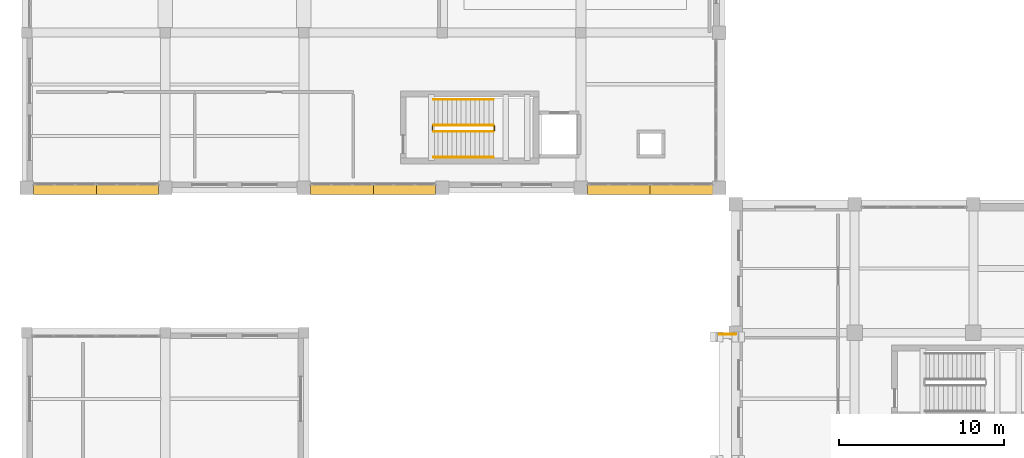
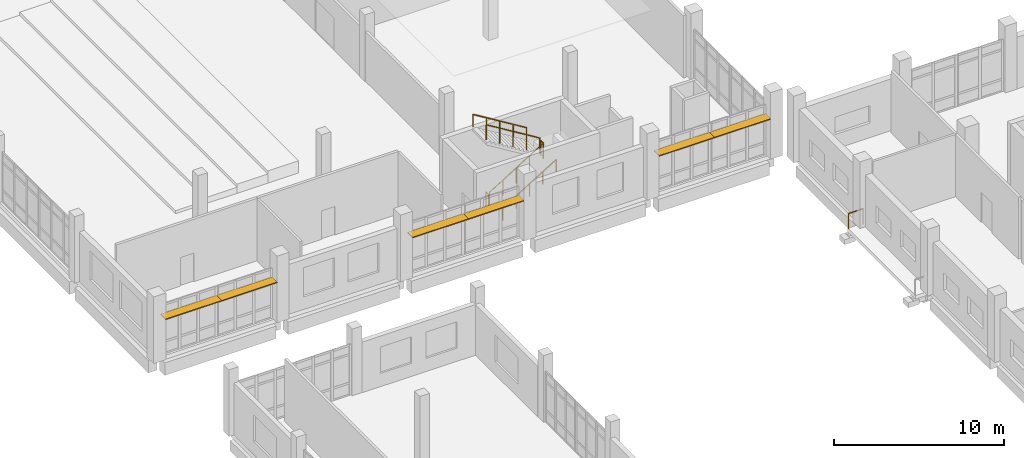
# One storey, part 86 of 90: 7 railings, 6 shading devices.
"""IFC4 building model written with IfcOpenShell, lengths in metres."""

from ifc_helpers import new_model, si_unit, direction, frame, origin, origin_2d, place, context, subcontext, project, spatial, rectangle, circle, extrude, material, layer, layer_set, type_object, element, save


model = new_model("IFC4")

# Units and contexts
model_context = context("Model", 3, precision=1e-05, world=origin(), true_north=direction((0.0, 1.0)))
body_context = subcontext(model_context, "Body", "Model", "MODEL_VIEW")
ifc_project = project(units=[si_unit("LENGTHUNIT", "METRE"), si_unit("AREAUNIT", "SQUARE_METRE"), si_unit("VOLUMEUNIT", "CUBIC_METRE"), si_unit("PLANEANGLEUNIT", "RADIAN"), si_unit("MASSUNIT", "GRAM", prefix="KILO")], contexts=[model_context])

# Site, building, storey
site_placement = place(None, origin())
site = spatial("IfcSite", under=ifc_project, at=site_placement, CompositionType="ELEMENT")
building_placement = place(site_placement, origin())
building = spatial("IfcBuilding", under=site, at=building_placement, Name="Kelarvand Opera House", CompositionType="ELEMENT")
storey_placement = place(building_placement, frame((0.0, 0.0, 5.39990234375)))
storey = spatial("IfcBuildingStorey", under=building, at=storey_placement, Name="L01", CompositionType="ELEMENT", Elevation=5.39990234375)

# Railings
ifc_material_1 = material(Name="Brushed bronze tubular rail")
railing_type_1 = type_object("IfcRailingType", Name="Brushed Bronze Stair Wall Handrail 900", PredefinedType="HANDRAIL", material=ifc_material_1)
railing_1_placement = place(storey_placement, frame((33.659912109375, 89.050048828125, 0.171630859375)))
element("IfcRailing", 1, at=railing_1_placement, inside=storey, type_object=railing_type_1, Name="L01 ST-05 stair handrail 1", PredefinedType="HANDRAIL", context=body_context, shape_type="SweptSolid", body=[
    extrude(circle(Radius=0.02392578125, at=origin_2d()), frame((0.0, 0.0, 0.8759765625), z_axis=(0.852865859571, 0.0, 0.52213008492), x_axis=(0.0, 1.0, 0.0)), (0.0, 0.0, 1.0), 4.26806640625),
    extrude(circle(Radius=0.02099609375, at=origin_2d()), origin(), (0.0, 0.0, 1.0), 0.851806640625),
    extrude(circle(Radius=0.02099609375, at=origin_2d()), frame((0.91015625, 0.0, 0.55712890625)), (0.0, 0.0, 1.0), 0.851806640625),
    extrude(circle(Radius=0.02099609375, at=origin_2d()), frame((1.820068359375, 0.0, 1.1142578125)), (0.0, 0.0, 1.0), 0.851806640625),
    extrude(circle(Radius=0.02099609375, at=origin_2d()), frame((2.72998046875, 0.0, 1.67138671875)), (0.0, 0.0, 1.0), 0.851806640625),
    extrude(circle(Radius=0.02099609375, at=origin_2d()), frame((3.64013671875, 0.0, 2.228515625)), (0.0, 0.0, 1.0), 0.851806640625),
])
railing_2_placement = place(storey_placement, frame((37.300048828125, 92.550048828125, 2.571533203125)))
element("IfcRailing", 2, at=railing_2_placement, inside=storey, type_object=railing_type_1, Name="L01 ST-05 stair handrail 2", PredefinedType="HANDRAIL", context=body_context, shape_type="SweptSolid", body=[
    extrude(circle(Radius=0.02392578125, at=origin_2d()), frame((0.0, 0.0, 0.8759765625), z_axis=(-0.852865859571, 0.0, 0.52213008492), x_axis=(0.0, -1.0, 0.0)), (0.0, 0.0, 1.0), 4.26806640625),
    extrude(circle(Radius=0.02099609375, at=origin_2d()), origin(), (0.0, 0.0, 1.0), 0.851806640625),
    extrude(circle(Radius=0.02099609375, at=origin_2d()), frame((-0.91015625, 0.0, 0.55712890625)), (0.0, 0.0, 1.0), 0.851806640625),
    extrude(circle(Radius=0.02099609375, at=origin_2d()), frame((-1.820068359375, 0.0, 1.1142578125)), (0.0, 0.0, 1.0), 0.851806640625),
    extrude(circle(Radius=0.02099609375, at=origin_2d()), frame((-2.72998046875, 0.0, 1.67138671875)), (0.0, 0.0, 1.0), 0.851806640625),
    extrude(circle(Radius=0.02099609375, at=origin_2d()), frame((-3.64013671875, 0.0, 2.228515625)), (0.0, 0.0, 1.0), 0.851806640625),
])

# Shading devices
ifc_material_2 = material(Name="Anodised bronze acoustic louvre")
ifc_layer = layer(ifc_material_2, 0.070068359375, Name="Anodised bronze acoustic louvre")
ifc_layer_set = layer_set([ifc_layer], Name="Anodised bronze acoustic louvre")
shading_device_type = type_object("IfcShadingDeviceType", Name="Horizontal Acoustic and Solar Bronze Louvre 600x70", PredefinedType="USERDEFINED", material=ifc_layer_set)
shading_device_1_placement = place(storey_placement, frame((48.69189453125, 87.0849609375, 2.865234375), z_axis=(0.0, 0.0, 1.0), x_axis=(-1.0, 0.0, 0.0)))
element("IfcShadingDevice", 3, at=shading_device_1_placement, inside=storey, type_object=shading_device_type, Name="V3 Sun Hood Louvre 5", ObjectType="LOUVRE", PredefinedType="USERDEFINED", context=body_context, shape_type="SweptSolid", body=[
    extrude(rectangle(XDim=3.81591796875, YDim=0.60009765625, at=origin_2d()), origin(), (0.0, 0.0, 1.0), 0.070068359375),
])
shading_device_2_placement = place(storey_placement, frame((44.909912109375, 87.0849609375, 2.865234375), z_axis=(0.0, 0.0, 1.0), x_axis=(-1.0, 0.0, 0.0)))
element("IfcShadingDevice", 4, at=shading_device_2_placement, inside=storey, type_object=shading_device_type, Name="V3 Sun Hood Louvre 6", ObjectType="LOUVRE", PredefinedType="USERDEFINED", context=body_context, shape_type="SweptSolid", body=[
    extrude(rectangle(XDim=3.820068359375, YDim=0.60009765625, at=origin_2d()), origin(), (0.0, 0.0, 1.0), 0.070068359375),
])
shading_device_3_placement = place(storey_placement, frame((31.89208984375, 87.0849609375, 2.865234375), z_axis=(0.0, 0.0, 1.0), x_axis=(-1.0, 0.0, 0.0)))
element("IfcShadingDevice", 5, at=shading_device_3_placement, inside=storey, type_object=shading_device_type, Name="V3 Sun Hood Louvre 7", ObjectType="LOUVRE", PredefinedType="USERDEFINED", context=body_context, shape_type="SweptSolid", body=[
    extrude(rectangle(XDim=3.81591796875, YDim=0.60009765625, at=origin_2d()), origin(), (0.0, 0.0, 1.0), 0.070068359375),
])
shading_device_4_placement = place(storey_placement, frame((28.110107421875, 87.0849609375, 2.865234375), z_axis=(0.0, 0.0, 1.0), x_axis=(-1.0, 0.0, 0.0)))
element("IfcShadingDevice", 6, at=shading_device_4_placement, inside=storey, type_object=shading_device_type, Name="V3 Sun Hood Louvre 8", ObjectType="LOUVRE", PredefinedType="USERDEFINED", context=body_context, shape_type="SweptSolid", body=[
    extrude(rectangle(XDim=3.820068359375, YDim=0.60009765625, at=origin_2d()), origin(), (0.0, 0.0, 1.0), 0.070068359375),
])
shading_device_5_placement = place(storey_placement, frame((15.092041015625, 87.0849609375, 2.865234375), z_axis=(0.0, 0.0, 1.0), x_axis=(-1.0, 0.0, 0.0)))
element("IfcShadingDevice", 7, at=shading_device_5_placement, inside=storey, type_object=shading_device_type, Name="V3 Sun Hood Louvre 9", ObjectType="LOUVRE", PredefinedType="USERDEFINED", context=body_context, shape_type="SweptSolid", body=[
    extrude(rectangle(XDim=3.81591796875, YDim=0.60009765625, at=origin_2d()), origin(), (0.0, 0.0, 1.0), 0.070068359375),
])
shading_device_6_placement = place(storey_placement, frame((11.31005859375, 87.0849609375, 2.865234375), z_axis=(0.0, 0.0, 1.0), x_axis=(-1.0, 0.0, 0.0)))
element("IfcShadingDevice", 8, at=shading_device_6_placement, inside=storey, type_object=shading_device_type, Name="V3 Sun Hood Louvre 10", ObjectType="LOUVRE", PredefinedType="USERDEFINED", context=body_context, shape_type="SweptSolid", body=[
    extrude(rectangle(XDim=3.820068359375, YDim=0.60009765625, at=origin_2d()), origin(), (0.0, 0.0, 1.0), 0.070068359375),
])

# Railings
ifc_material_3 = material(Name="Laminated safety glass with bronze cap rail", Category="glass")
railing_type_2 = type_object("IfcRailingType", Name="Laminated Glass and Bronze Foyer Balustrade 1120", PredefinedType="BALUSTRADE", material=ifc_material_3)
railing_3_placement = place(storey_placement, frame((51.0, 78.320068359375, 0.0)))
element("IfcRailing", 9, at=railing_3_placement, inside=storey, type_object=railing_type_2, Name="V1 L01 Balustrade 126", PredefinedType="BALUSTRADE", context=body_context, shape_type="SweptSolid", body=[
    extrude(circle(Radius=0.02392578125, at=origin_2d()), frame((0.0, 0.0, 1.09619140625), z_axis=(1.0, 0.0, 0.0), x_axis=(0.0, 1.0, 0.0)), (0.0, 0.0, 1.0), 1.0),
    extrude(circle(Radius=0.02099609375, at=origin_2d()), origin(), (0.0, 0.0, 1.0), 1.072021484375),
    extrude(circle(Radius=0.02099609375, at=origin_2d()), frame((1.0, 0.0, 0.0)), (0.0, 0.0, 1.0), 1.072021484375),
])
ifc_material_4 = material(Name="Powder-coated Steel S355", Category="steel")
railing_type_3 = type_object("IfcRailingType", Name="Painted Steel Stair and Void Guardrail 1100", PredefinedType="GUARDRAIL", material=ifc_material_4)
railing_4_placement = place(storey_placement, frame((33.659912109375, 90.610107421875, 0.171630859375)))
element("IfcRailing", 10, at=railing_4_placement, inside=storey, type_object=railing_type_3, Name="L01 ST-05 stair guard 1", PredefinedType="GUARDRAIL", context=body_context, shape_type="SweptSolid", body=[
    extrude(circle(Radius=0.02392578125, at=origin_2d()), frame((0.0, 0.0, 1.076171875), z_axis=(0.852865859571, 0.0, 0.52213008492), x_axis=(0.0, 1.0, 0.0)), (0.0, 0.0, 1.0), 4.26806640625),
    extrude(circle(Radius=0.02099609375, at=origin_2d()), origin(), (0.0, 0.0, 1.0), 1.052001953125),
    extrude(circle(Radius=0.02099609375, at=origin_2d()), frame((0.91015625, 0.0, 0.55712890625)), (0.0, 0.0, 1.0), 1.052001953125),
    extrude(circle(Radius=0.02099609375, at=origin_2d()), frame((1.820068359375, 0.0, 1.1142578125)), (0.0, 0.0, 1.0), 1.052001953125),
    extrude(circle(Radius=0.02099609375, at=origin_2d()), frame((2.72998046875, 0.0, 1.67138671875)), (0.0, 0.0, 1.0), 1.052001953125),
    extrude(circle(Radius=0.02099609375, at=origin_2d()), frame((3.64013671875, 0.0, 2.228515625)), (0.0, 0.0, 1.0), 1.052001953125),
])
railing_5_placement = place(storey_placement, frame((37.35009765625, 90.659912109375, 2.400146484375)))
element("IfcRailing", 11, at=railing_5_placement, inside=storey, type_object=railing_type_3, Name="L01 ST-05 stair guard 2", PredefinedType="GUARDRAIL", context=body_context, shape_type="SweptSolid", body=[
    extrude(circle(Radius=0.02392578125, at=origin_2d()), frame((0.0, 0.0, 1.076171875), z_axis=(0.0, 1.0, 0.0), x_axis=(-1.0, 0.0, 0.0)), (0.0, 0.0, 1.0), 0.280029296875),
    extrude(circle(Radius=0.02099609375, at=origin_2d()), origin(), (0.0, 0.0, 1.0), 1.052001953125),
    extrude(circle(Radius=0.02099609375, at=origin_2d()), frame((0.0, 0.280029296875, 0.0)), (0.0, 0.0, 1.0), 1.052001953125),
])
railing_6_placement = place(storey_placement, frame((37.300048828125, 90.989990234375, 2.571533203125)))
element("IfcRailing", 12, at=railing_6_placement, inside=storey, type_object=railing_type_3, Name="L01 ST-05 stair guard 3", PredefinedType="GUARDRAIL", context=body_context, shape_type="SweptSolid", body=[
    extrude(circle(Radius=0.02392578125, at=origin_2d()), frame((0.0, 0.0, 1.076171875), z_axis=(-0.852865859571, 0.0, 0.52213008492), x_axis=(0.0, -1.0, 0.0)), (0.0, 0.0, 1.0), 4.26806640625),
    extrude(circle(Radius=0.02099609375, at=origin_2d()), origin(), (0.0, 0.0, 1.0), 1.052001953125),
    extrude(circle(Radius=0.02099609375, at=origin_2d()), frame((-0.91015625, 0.0, 0.55712890625)), (0.0, 0.0, 1.0), 1.052001953125),
    extrude(circle(Radius=0.02099609375, at=origin_2d()), frame((-1.820068359375, 0.0, 1.1142578125)), (0.0, 0.0, 1.0), 1.052001953125),
    extrude(circle(Radius=0.02099609375, at=origin_2d()), frame((-2.72998046875, 0.0, 1.67138671875)), (0.0, 0.0, 1.0), 1.052001953125),
    extrude(circle(Radius=0.02099609375, at=origin_2d()), frame((-3.64013671875, 0.0, 2.228515625)), (0.0, 0.0, 1.0), 1.052001953125),
])
railing_7_placement = place(storey_placement, frame((33.610107421875, 90.659912109375, 0.0)))
element("IfcRailing", 13, at=railing_7_placement, inside=storey, type_object=railing_type_3, Name="L01 ST-05 stair guard 4", PredefinedType="GUARDRAIL", context=body_context, shape_type="SweptSolid", body=[
    extrude(circle(Radius=0.02392578125, at=origin_2d()), frame((0.0, 0.0, 1.076171875), z_axis=(0.0, 1.0, 0.0), x_axis=(-1.0, 0.0, 0.0)), (0.0, 0.0, 1.0), 0.280029296875),
    extrude(circle(Radius=0.02099609375, at=origin_2d()), origin(), (0.0, 0.0, 1.0), 1.052001953125),
    extrude(circle(Radius=0.02099609375, at=origin_2d()), frame((0.0, 0.280029296875, 0.0)), (0.0, 0.0, 1.0), 1.052001953125),
])

save(model, "model.ifc")
